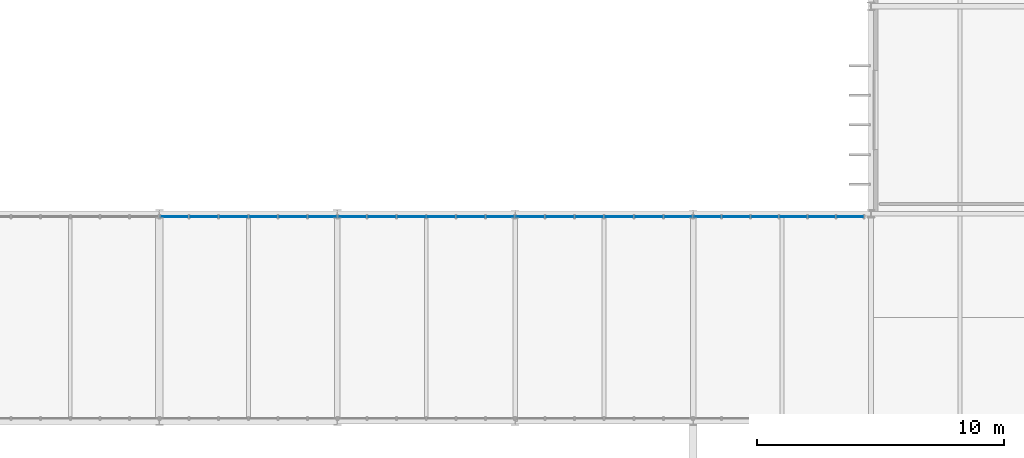
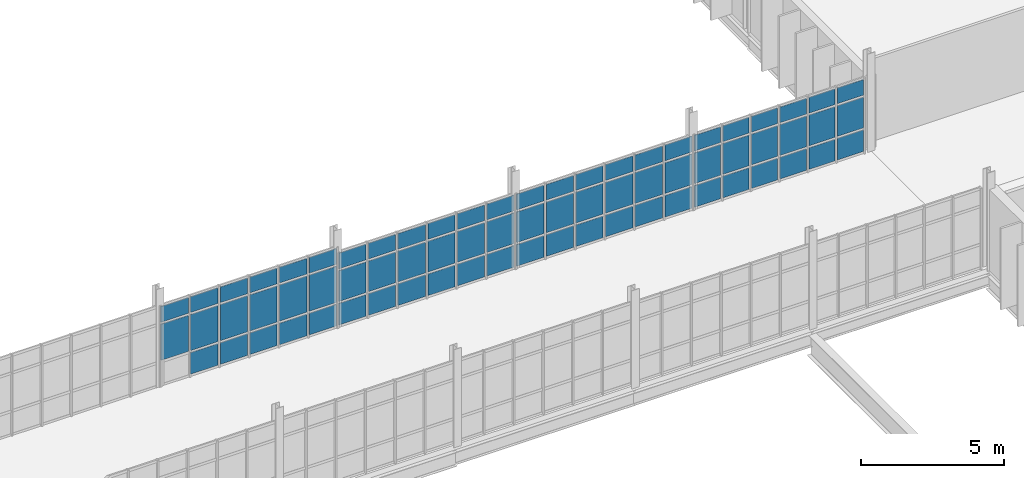
# One storey, part 76 of 119: 71 plates, 4 elements without a shape of their own.
"""IFC4 building model written with IfcOpenShell, lengths in metres."""

from ifc_helpers import new_model, si_unit, direction, frame, origin, origin_2d, place, context, subcontext, project, spatial, rectangle, extrude, material, layer, layer_set, type_object, element, aggregate, save


model = new_model("IFC4")

# Units and contexts
model_context = context("Model", 3, precision=1e-05, world=origin(), true_north=direction((0.0, 1.0)))
body_context = subcontext(model_context, "Body", "Model", "MODEL_VIEW")
ifc_project = project(units=[si_unit("LENGTHUNIT", "METRE"), si_unit("AREAUNIT", "SQUARE_METRE"), si_unit("VOLUMEUNIT", "CUBIC_METRE"), si_unit("PLANEANGLEUNIT", "RADIAN"), si_unit("MASSUNIT", "GRAM", prefix="KILO")], contexts=[model_context])

# Site, building, storey
site_placement = place(None, origin())
site = spatial("IfcSite", under=ifc_project, at=site_placement, CompositionType="ELEMENT")
building_placement = place(site_placement, origin())
building = spatial("IfcBuilding", under=site, at=building_placement, Name="Qelthora Terrace Specialist Clinic", CompositionType="ELEMENT")
storey_placement = place(building_placement, frame((0.0, 0.0, 4.800048828125)))
storey = spatial("IfcBuildingStorey", under=building, at=storey_placement, Name="L01", CompositionType="ELEMENT", Elevation=4.800048828125)

# Curtain wall, plates
ifc_material_1 = material(Name="Aluminium anodized bronze", Category="aluminium")
curtain_wall_type = type_object("IfcCurtainWallType", Name="CW-BRG-L01", PredefinedType="NOTDEFINED", material=ifc_material_1)
curtain_wall_1_placement = place(storey_placement, origin())
curtain_wall_1 = element("IfcCurtainWall", 1, at=curtain_wall_1_placement, inside=storey, type_object=curtain_wall_type, Name="Curtain wall CW-L01-236", PredefinedType="NOTDEFINED")
ifc_material_2 = material(Name="Low-E triple-silver insulating glass", Category="glass")
ifc_layer = layer(ifc_material_2, 0.035888671875)
ifc_layer_set = layer_set([ifc_layer], Name="Low-E triple-silver insulating glass")
plate_type = type_object("IfcPlateType", Name="CWP-IGU-36", PredefinedType="CURTAIN_PANEL", material=ifc_layer_set)
plate_1_placement = place(storey_placement, frame((65.39990234375, 67.080078125, 1.094970703125), z_axis=(0.0, 0.0, 1.0), x_axis=(1.0, 0.0, 0.0)))
plate_1 = element("IfcPlate", 2, at=plate_1_placement, type_object=plate_type, Name="CW-L01-236 glazed panel 2", PredefinedType="CURTAIN_PANEL", context=body_context, shape_type="SweptSolid", body=[
    extrude(rectangle(XDim=1.10009765625, YDim=0.035888671875, at=origin_2d()), origin(), (0.0, 0.0, 1.0), 1.5419921875),
])
plate_2_placement = place(storey_placement, frame((65.39990234375, 67.080078125, 2.72705078125), z_axis=(0.0, 0.0, 1.0), x_axis=(1.0, 0.0, 0.0)))
plate_2 = element("IfcPlate", 3, at=plate_2_placement, type_object=plate_type, Name="CW-L01-236 glazed panel 3", PredefinedType="CURTAIN_PANEL", context=body_context, shape_type="SweptSolid", body=[
    extrude(rectangle(XDim=1.10009765625, YDim=0.035888671875, at=origin_2d()), origin(), (0.0, 0.0, 1.0), 0.669921875),
])
plate_3_placement = place(storey_placement, frame((66.60009765625, 67.080078125, 0.0849609375), z_axis=(0.0, 0.0, 1.0), x_axis=(1.0, 0.0, 0.0)))
plate_3 = element("IfcPlate", 4, at=plate_3_placement, type_object=plate_type, Name="CW-L01-236 glazed panel 4", PredefinedType="CURTAIN_PANEL", context=body_context, shape_type="SweptSolid", body=[
    extrude(rectangle(XDim=1.10009765625, YDim=0.035888671875, at=origin_2d()), origin(), (0.0, 0.0, 1.0), 0.919921875),
])
plate_4_placement = place(storey_placement, frame((66.60009765625, 67.080078125, 1.094970703125), z_axis=(0.0, 0.0, 1.0), x_axis=(1.0, 0.0, 0.0)))
plate_4 = element("IfcPlate", 5, at=plate_4_placement, type_object=plate_type, Name="CW-L01-236 glazed panel 5", PredefinedType="CURTAIN_PANEL", context=body_context, shape_type="SweptSolid", body=[
    extrude(rectangle(XDim=1.10009765625, YDim=0.035888671875, at=origin_2d()), origin(), (0.0, 0.0, 1.0), 1.5419921875),
])
plate_5_placement = place(storey_placement, frame((66.60009765625, 67.080078125, 2.72705078125), z_axis=(0.0, 0.0, 1.0), x_axis=(1.0, 0.0, 0.0)))
plate_5 = element("IfcPlate", 6, at=plate_5_placement, type_object=plate_type, Name="CW-L01-236 glazed panel 6", PredefinedType="CURTAIN_PANEL", context=body_context, shape_type="SweptSolid", body=[
    extrude(rectangle(XDim=1.10009765625, YDim=0.035888671875, at=origin_2d()), origin(), (0.0, 0.0, 1.0), 0.669921875),
])
plate_6_placement = place(storey_placement, frame((67.800048828125, 67.080078125, 0.0849609375), z_axis=(0.0, 0.0, 1.0), x_axis=(1.0, 0.0, 0.0)))
plate_6 = element("IfcPlate", 7, at=plate_6_placement, type_object=plate_type, Name="CW-L01-236 glazed panel 7", PredefinedType="CURTAIN_PANEL", context=body_context, shape_type="SweptSolid", body=[
    extrude(rectangle(XDim=1.10009765625, YDim=0.035888671875, at=origin_2d()), origin(), (0.0, 0.0, 1.0), 0.919921875),
])
plate_7_placement = place(storey_placement, frame((67.800048828125, 67.080078125, 1.094970703125), z_axis=(0.0, 0.0, 1.0), x_axis=(1.0, 0.0, 0.0)))
plate_7 = element("IfcPlate", 8, at=plate_7_placement, type_object=plate_type, Name="CW-L01-236 glazed panel 8", PredefinedType="CURTAIN_PANEL", context=body_context, shape_type="SweptSolid", body=[
    extrude(rectangle(XDim=1.10009765625, YDim=0.035888671875, at=origin_2d()), origin(), (0.0, 0.0, 1.0), 1.5419921875),
])
plate_8_placement = place(storey_placement, frame((67.800048828125, 67.080078125, 2.72705078125), z_axis=(0.0, 0.0, 1.0), x_axis=(1.0, 0.0, 0.0)))
plate_8 = element("IfcPlate", 9, at=plate_8_placement, type_object=plate_type, Name="CW-L01-236 glazed panel 9", PredefinedType="CURTAIN_PANEL", context=body_context, shape_type="SweptSolid", body=[
    extrude(rectangle(XDim=1.10009765625, YDim=0.035888671875, at=origin_2d()), origin(), (0.0, 0.0, 1.0), 0.669921875),
])
plate_9_placement = place(storey_placement, frame((69.0, 67.080078125, 0.0849609375), z_axis=(0.0, 0.0, 1.0), x_axis=(1.0, 0.0, 0.0)))
plate_9 = element("IfcPlate", 10, at=plate_9_placement, type_object=plate_type, Name="CW-L01-236 glazed panel 10", PredefinedType="CURTAIN_PANEL", context=body_context, shape_type="SweptSolid", body=[
    extrude(rectangle(XDim=1.10009765625, YDim=0.035888671875, at=origin_2d()), origin(), (0.0, 0.0, 1.0), 0.919921875),
])
plate_10_placement = place(storey_placement, frame((69.0, 67.080078125, 1.094970703125), z_axis=(0.0, 0.0, 1.0), x_axis=(1.0, 0.0, 0.0)))
plate_10 = element("IfcPlate", 11, at=plate_10_placement, type_object=plate_type, Name="CW-L01-236 glazed panel 11", PredefinedType="CURTAIN_PANEL", context=body_context, shape_type="SweptSolid", body=[
    extrude(rectangle(XDim=1.10009765625, YDim=0.035888671875, at=origin_2d()), origin(), (0.0, 0.0, 1.0), 1.5419921875),
])
plate_11_placement = place(storey_placement, frame((69.0, 67.080078125, 2.72705078125), z_axis=(0.0, 0.0, 1.0), x_axis=(1.0, 0.0, 0.0)))
plate_11 = element("IfcPlate", 12, at=plate_11_placement, type_object=plate_type, Name="CW-L01-236 glazed panel 12", PredefinedType="CURTAIN_PANEL", context=body_context, shape_type="SweptSolid", body=[
    extrude(rectangle(XDim=1.10009765625, YDim=0.035888671875, at=origin_2d()), origin(), (0.0, 0.0, 1.0), 0.669921875),
])
plate_12_placement = place(storey_placement, frame((70.199951171875, 67.080078125, 0.0849609375), z_axis=(0.0, 0.0, 1.0), x_axis=(1.0, 0.0, 0.0)))
plate_12 = element("IfcPlate", 13, at=plate_12_placement, type_object=plate_type, Name="CW-L01-236 glazed panel 13", PredefinedType="CURTAIN_PANEL", context=body_context, shape_type="SweptSolid", body=[
    extrude(rectangle(XDim=1.10009765625, YDim=0.035888671875, at=origin_2d()), origin(), (0.0, 0.0, 1.0), 0.919921875),
])
plate_13_placement = place(storey_placement, frame((70.199951171875, 67.080078125, 1.094970703125), z_axis=(0.0, 0.0, 1.0), x_axis=(1.0, 0.0, 0.0)))
plate_13 = element("IfcPlate", 14, at=plate_13_placement, type_object=plate_type, Name="CW-L01-236 glazed panel 14", PredefinedType="CURTAIN_PANEL", context=body_context, shape_type="SweptSolid", body=[
    extrude(rectangle(XDim=1.10009765625, YDim=0.035888671875, at=origin_2d()), origin(), (0.0, 0.0, 1.0), 1.5419921875),
])
plate_14_placement = place(storey_placement, frame((70.199951171875, 67.080078125, 2.72705078125), z_axis=(0.0, 0.0, 1.0), x_axis=(1.0, 0.0, 0.0)))
plate_14 = element("IfcPlate", 15, at=plate_14_placement, type_object=plate_type, Name="CW-L01-236 glazed panel 15", PredefinedType="CURTAIN_PANEL", context=body_context, shape_type="SweptSolid", body=[
    extrude(rectangle(XDim=1.10009765625, YDim=0.035888671875, at=origin_2d()), origin(), (0.0, 0.0, 1.0), 0.669921875),
])
plate_15_placement = place(storey_placement, frame((71.39990234375, 67.080078125, 0.0849609375), z_axis=(0.0, 0.0, 1.0), x_axis=(1.0, 0.0, 0.0)))
plate_15 = element("IfcPlate", 16, at=plate_15_placement, type_object=plate_type, Name="CW-L01-236 glazed panel 16", PredefinedType="CURTAIN_PANEL", context=body_context, shape_type="SweptSolid", body=[
    extrude(rectangle(XDim=1.10009765625, YDim=0.035888671875, at=origin_2d()), origin(), (0.0, 0.0, 1.0), 0.919921875),
])
plate_16_placement = place(storey_placement, frame((71.39990234375, 67.080078125, 1.094970703125), z_axis=(0.0, 0.0, 1.0), x_axis=(1.0, 0.0, 0.0)))
plate_16 = element("IfcPlate", 17, at=plate_16_placement, type_object=plate_type, Name="CW-L01-236 glazed panel 17", PredefinedType="CURTAIN_PANEL", context=body_context, shape_type="SweptSolid", body=[
    extrude(rectangle(XDim=1.10009765625, YDim=0.035888671875, at=origin_2d()), origin(), (0.0, 0.0, 1.0), 1.5419921875),
])
plate_17_placement = place(storey_placement, frame((71.39990234375, 67.080078125, 2.72705078125), z_axis=(0.0, 0.0, 1.0), x_axis=(1.0, 0.0, 0.0)))
plate_17 = element("IfcPlate", 18, at=plate_17_placement, type_object=plate_type, Name="CW-L01-236 glazed panel 18", PredefinedType="CURTAIN_PANEL", context=body_context, shape_type="SweptSolid", body=[
    extrude(rectangle(XDim=1.10009765625, YDim=0.035888671875, at=origin_2d()), origin(), (0.0, 0.0, 1.0), 0.669921875),
])
aggregate(curtain_wall_1, [plate_1, plate_2, plate_3, plate_4, plate_5, plate_6, plate_7, plate_8, plate_9, plate_10, plate_11, plate_12, plate_13, plate_14, plate_15, plate_16, plate_17])

curtain_wall_2_placement = place(storey_placement, origin())
curtain_wall_2 = element("IfcCurtainWall", 19, at=curtain_wall_2_placement, inside=storey, type_object=curtain_wall_type, Name="Curtain wall CW-L01-237", PredefinedType="NOTDEFINED")
plate_18_placement = place(storey_placement, frame((72.60009765625, 67.080078125, 0.0849609375), z_axis=(0.0, 0.0, 1.0), x_axis=(1.0, 0.0, 0.0)))
plate_18 = element("IfcPlate", 20, at=plate_18_placement, type_object=plate_type, Name="CW-L01-237 glazed panel 1", PredefinedType="CURTAIN_PANEL", context=body_context, shape_type="SweptSolid", body=[
    extrude(rectangle(XDim=1.10009765625, YDim=0.035888671875, at=origin_2d()), origin(), (0.0, 0.0, 1.0), 0.919921875),
])
plate_19_placement = place(storey_placement, frame((72.60009765625, 67.080078125, 1.094970703125), z_axis=(0.0, 0.0, 1.0), x_axis=(1.0, 0.0, 0.0)))
plate_19 = element("IfcPlate", 21, at=plate_19_placement, type_object=plate_type, Name="CW-L01-237 glazed panel 2", PredefinedType="CURTAIN_PANEL", context=body_context, shape_type="SweptSolid", body=[
    extrude(rectangle(XDim=1.10009765625, YDim=0.035888671875, at=origin_2d()), origin(), (0.0, 0.0, 1.0), 1.30908203125),
])
plate_20_placement = place(storey_placement, frame((72.60009765625, 67.080078125, 2.493896484375), z_axis=(0.0, 0.0, 1.0), x_axis=(1.0, 0.0, 0.0)))
plate_20 = element("IfcPlate", 22, at=plate_20_placement, type_object=plate_type, Name="CW-L01-237 glazed panel 3", PredefinedType="CURTAIN_PANEL", context=body_context, shape_type="SweptSolid", body=[
    extrude(rectangle(XDim=1.10009765625, YDim=0.035888671875, at=origin_2d()), origin(), (0.0, 0.0, 1.0), 0.669921875),
])
plate_21_placement = place(storey_placement, frame((73.800048828125, 67.080078125, 0.0849609375), z_axis=(0.0, 0.0, 1.0), x_axis=(1.0, 0.0, 0.0)))
plate_21 = element("IfcPlate", 23, at=plate_21_placement, type_object=plate_type, Name="CW-L01-237 glazed panel 4", PredefinedType="CURTAIN_PANEL", context=body_context, shape_type="SweptSolid", body=[
    extrude(rectangle(XDim=1.10009765625, YDim=0.035888671875, at=origin_2d()), origin(), (0.0, 0.0, 1.0), 0.919921875),
])
plate_22_placement = place(storey_placement, frame((73.800048828125, 67.080078125, 1.094970703125), z_axis=(0.0, 0.0, 1.0), x_axis=(1.0, 0.0, 0.0)))
plate_22 = element("IfcPlate", 24, at=plate_22_placement, type_object=plate_type, Name="CW-L01-237 glazed panel 5", PredefinedType="CURTAIN_PANEL", context=body_context, shape_type="SweptSolid", body=[
    extrude(rectangle(XDim=1.10009765625, YDim=0.035888671875, at=origin_2d()), origin(), (0.0, 0.0, 1.0), 1.30908203125),
])
plate_23_placement = place(storey_placement, frame((73.800048828125, 67.080078125, 2.493896484375), z_axis=(0.0, 0.0, 1.0), x_axis=(1.0, 0.0, 0.0)))
plate_23 = element("IfcPlate", 25, at=plate_23_placement, type_object=plate_type, Name="CW-L01-237 glazed panel 6", PredefinedType="CURTAIN_PANEL", context=body_context, shape_type="SweptSolid", body=[
    extrude(rectangle(XDim=1.10009765625, YDim=0.035888671875, at=origin_2d()), origin(), (0.0, 0.0, 1.0), 0.669921875),
])
plate_24_placement = place(storey_placement, frame((75.0, 67.080078125, 0.0849609375), z_axis=(0.0, 0.0, 1.0), x_axis=(1.0, 0.0, 0.0)))
plate_24 = element("IfcPlate", 26, at=plate_24_placement, type_object=plate_type, Name="CW-L01-237 glazed panel 7", PredefinedType="CURTAIN_PANEL", context=body_context, shape_type="SweptSolid", body=[
    extrude(rectangle(XDim=1.10009765625, YDim=0.035888671875, at=origin_2d()), origin(), (0.0, 0.0, 1.0), 0.919921875),
])
plate_25_placement = place(storey_placement, frame((75.0, 67.080078125, 1.094970703125), z_axis=(0.0, 0.0, 1.0), x_axis=(1.0, 0.0, 0.0)))
plate_25 = element("IfcPlate", 27, at=plate_25_placement, type_object=plate_type, Name="CW-L01-237 glazed panel 8", PredefinedType="CURTAIN_PANEL", context=body_context, shape_type="SweptSolid", body=[
    extrude(rectangle(XDim=1.10009765625, YDim=0.035888671875, at=origin_2d()), origin(), (0.0, 0.0, 1.0), 1.30908203125),
])
plate_26_placement = place(storey_placement, frame((75.0, 67.080078125, 2.493896484375), z_axis=(0.0, 0.0, 1.0), x_axis=(1.0, 0.0, 0.0)))
plate_26 = element("IfcPlate", 28, at=plate_26_placement, type_object=plate_type, Name="CW-L01-237 glazed panel 9", PredefinedType="CURTAIN_PANEL", context=body_context, shape_type="SweptSolid", body=[
    extrude(rectangle(XDim=1.10009765625, YDim=0.035888671875, at=origin_2d()), origin(), (0.0, 0.0, 1.0), 0.669921875),
])
plate_27_placement = place(storey_placement, frame((76.199951171875, 67.080078125, 0.0849609375), z_axis=(0.0, 0.0, 1.0), x_axis=(1.0, 0.0, 0.0)))
plate_27 = element("IfcPlate", 29, at=plate_27_placement, type_object=plate_type, Name="CW-L01-237 glazed panel 10", PredefinedType="CURTAIN_PANEL", context=body_context, shape_type="SweptSolid", body=[
    extrude(rectangle(XDim=1.10009765625, YDim=0.035888671875, at=origin_2d()), origin(), (0.0, 0.0, 1.0), 0.919921875),
])
plate_28_placement = place(storey_placement, frame((76.199951171875, 67.080078125, 1.094970703125), z_axis=(0.0, 0.0, 1.0), x_axis=(1.0, 0.0, 0.0)))
plate_28 = element("IfcPlate", 30, at=plate_28_placement, type_object=plate_type, Name="CW-L01-237 glazed panel 11", PredefinedType="CURTAIN_PANEL", context=body_context, shape_type="SweptSolid", body=[
    extrude(rectangle(XDim=1.10009765625, YDim=0.035888671875, at=origin_2d()), origin(), (0.0, 0.0, 1.0), 1.30908203125),
])
plate_29_placement = place(storey_placement, frame((76.199951171875, 67.080078125, 2.493896484375), z_axis=(0.0, 0.0, 1.0), x_axis=(1.0, 0.0, 0.0)))
plate_29 = element("IfcPlate", 31, at=plate_29_placement, type_object=plate_type, Name="CW-L01-237 glazed panel 12", PredefinedType="CURTAIN_PANEL", context=body_context, shape_type="SweptSolid", body=[
    extrude(rectangle(XDim=1.10009765625, YDim=0.035888671875, at=origin_2d()), origin(), (0.0, 0.0, 1.0), 0.669921875),
])
plate_30_placement = place(storey_placement, frame((77.39990234375, 67.080078125, 0.0849609375), z_axis=(0.0, 0.0, 1.0), x_axis=(1.0, 0.0, 0.0)))
plate_30 = element("IfcPlate", 32, at=plate_30_placement, type_object=plate_type, Name="CW-L01-237 glazed panel 13", PredefinedType="CURTAIN_PANEL", context=body_context, shape_type="SweptSolid", body=[
    extrude(rectangle(XDim=1.10009765625, YDim=0.035888671875, at=origin_2d()), origin(), (0.0, 0.0, 1.0), 0.919921875),
])
plate_31_placement = place(storey_placement, frame((77.39990234375, 67.080078125, 1.094970703125), z_axis=(0.0, 0.0, 1.0), x_axis=(1.0, 0.0, 0.0)))
plate_31 = element("IfcPlate", 33, at=plate_31_placement, type_object=plate_type, Name="CW-L01-237 glazed panel 14", PredefinedType="CURTAIN_PANEL", context=body_context, shape_type="SweptSolid", body=[
    extrude(rectangle(XDim=1.10009765625, YDim=0.035888671875, at=origin_2d()), origin(), (0.0, 0.0, 1.0), 1.30908203125),
])
plate_32_placement = place(storey_placement, frame((77.39990234375, 67.080078125, 2.493896484375), z_axis=(0.0, 0.0, 1.0), x_axis=(1.0, 0.0, 0.0)))
plate_32 = element("IfcPlate", 34, at=plate_32_placement, type_object=plate_type, Name="CW-L01-237 glazed panel 15", PredefinedType="CURTAIN_PANEL", context=body_context, shape_type="SweptSolid", body=[
    extrude(rectangle(XDim=1.10009765625, YDim=0.035888671875, at=origin_2d()), origin(), (0.0, 0.0, 1.0), 0.669921875),
])
plate_33_placement = place(storey_placement, frame((78.60009765625, 67.080078125, 0.0849609375), z_axis=(0.0, 0.0, 1.0), x_axis=(1.0, 0.0, 0.0)))
plate_33 = element("IfcPlate", 35, at=plate_33_placement, type_object=plate_type, Name="CW-L01-237 glazed panel 16", PredefinedType="CURTAIN_PANEL", context=body_context, shape_type="SweptSolid", body=[
    extrude(rectangle(XDim=1.10009765625, YDim=0.035888671875, at=origin_2d()), origin(), (0.0, 0.0, 1.0), 0.919921875),
])
plate_34_placement = place(storey_placement, frame((78.60009765625, 67.080078125, 1.094970703125), z_axis=(0.0, 0.0, 1.0), x_axis=(1.0, 0.0, 0.0)))
plate_34 = element("IfcPlate", 36, at=plate_34_placement, type_object=plate_type, Name="CW-L01-237 glazed panel 17", PredefinedType="CURTAIN_PANEL", context=body_context, shape_type="SweptSolid", body=[
    extrude(rectangle(XDim=1.10009765625, YDim=0.035888671875, at=origin_2d()), origin(), (0.0, 0.0, 1.0), 1.30908203125),
])
plate_35_placement = place(storey_placement, frame((78.60009765625, 67.080078125, 2.493896484375), z_axis=(0.0, 0.0, 1.0), x_axis=(1.0, 0.0, 0.0)))
plate_35 = element("IfcPlate", 37, at=plate_35_placement, type_object=plate_type, Name="CW-L01-237 glazed panel 18", PredefinedType="CURTAIN_PANEL", context=body_context, shape_type="SweptSolid", body=[
    extrude(rectangle(XDim=1.10009765625, YDim=0.035888671875, at=origin_2d()), origin(), (0.0, 0.0, 1.0), 0.669921875),
])
aggregate(curtain_wall_2, [plate_18, plate_19, plate_20, plate_21, plate_22, plate_23, plate_24, plate_25, plate_26, plate_27, plate_28, plate_29, plate_30, plate_31, plate_32, plate_33, plate_34, plate_35])

curtain_wall_3_placement = place(storey_placement, origin())
curtain_wall_3 = element("IfcCurtainWall", 38, at=curtain_wall_3_placement, inside=storey, type_object=curtain_wall_type, Name="Curtain wall CW-L01-238", PredefinedType="NOTDEFINED")
plate_36_placement = place(storey_placement, frame((79.800048828125, 67.080078125, 0.0849609375), z_axis=(0.0, 0.0, 1.0), x_axis=(1.0, 0.0, 0.0)))
plate_36 = element("IfcPlate", 39, at=plate_36_placement, type_object=plate_type, Name="CW-L01-238 glazed panel 1", PredefinedType="CURTAIN_PANEL", context=body_context, shape_type="SweptSolid", body=[
    extrude(rectangle(XDim=1.10009765625, YDim=0.035888671875, at=origin_2d()), origin(), (0.0, 0.0, 1.0), 0.919921875),
])
plate_37_placement = place(storey_placement, frame((79.800048828125, 67.080078125, 1.094970703125), z_axis=(0.0, 0.0, 1.0), x_axis=(1.0, 0.0, 0.0)))
plate_37 = element("IfcPlate", 40, at=plate_37_placement, type_object=plate_type, Name="CW-L01-238 glazed panel 2", PredefinedType="CURTAIN_PANEL", context=body_context, shape_type="SweptSolid", body=[
    extrude(rectangle(XDim=1.10009765625, YDim=0.035888671875, at=origin_2d()), origin(), (0.0, 0.0, 1.0), 1.30908203125),
])
plate_38_placement = place(storey_placement, frame((79.800048828125, 67.080078125, 2.493896484375), z_axis=(0.0, 0.0, 1.0), x_axis=(1.0, 0.0, 0.0)))
plate_38 = element("IfcPlate", 41, at=plate_38_placement, type_object=plate_type, Name="CW-L01-238 glazed panel 3", PredefinedType="CURTAIN_PANEL", context=body_context, shape_type="SweptSolid", body=[
    extrude(rectangle(XDim=1.10009765625, YDim=0.035888671875, at=origin_2d()), origin(), (0.0, 0.0, 1.0), 0.669921875),
])
plate_39_placement = place(storey_placement, frame((81.0, 67.080078125, 0.0849609375), z_axis=(0.0, 0.0, 1.0), x_axis=(1.0, 0.0, 0.0)))
plate_39 = element("IfcPlate", 42, at=plate_39_placement, type_object=plate_type, Name="CW-L01-238 glazed panel 4", PredefinedType="CURTAIN_PANEL", context=body_context, shape_type="SweptSolid", body=[
    extrude(rectangle(XDim=1.10009765625, YDim=0.035888671875, at=origin_2d()), origin(), (0.0, 0.0, 1.0), 0.919921875),
])
plate_40_placement = place(storey_placement, frame((81.0, 67.080078125, 1.094970703125), z_axis=(0.0, 0.0, 1.0), x_axis=(1.0, 0.0, 0.0)))
plate_40 = element("IfcPlate", 43, at=plate_40_placement, type_object=plate_type, Name="CW-L01-238 glazed panel 5", PredefinedType="CURTAIN_PANEL", context=body_context, shape_type="SweptSolid", body=[
    extrude(rectangle(XDim=1.10009765625, YDim=0.035888671875, at=origin_2d()), origin(), (0.0, 0.0, 1.0), 1.30908203125),
])
plate_41_placement = place(storey_placement, frame((81.0, 67.080078125, 2.493896484375), z_axis=(0.0, 0.0, 1.0), x_axis=(1.0, 0.0, 0.0)))
plate_41 = element("IfcPlate", 44, at=plate_41_placement, type_object=plate_type, Name="CW-L01-238 glazed panel 6", PredefinedType="CURTAIN_PANEL", context=body_context, shape_type="SweptSolid", body=[
    extrude(rectangle(XDim=1.10009765625, YDim=0.035888671875, at=origin_2d()), origin(), (0.0, 0.0, 1.0), 0.669921875),
])
plate_42_placement = place(storey_placement, frame((82.199951171875, 67.080078125, 0.0849609375), z_axis=(0.0, 0.0, 1.0), x_axis=(1.0, 0.0, 0.0)))
plate_42 = element("IfcPlate", 45, at=plate_42_placement, type_object=plate_type, Name="CW-L01-238 glazed panel 7", PredefinedType="CURTAIN_PANEL", context=body_context, shape_type="SweptSolid", body=[
    extrude(rectangle(XDim=1.10009765625, YDim=0.035888671875, at=origin_2d()), origin(), (0.0, 0.0, 1.0), 0.919921875),
])
plate_43_placement = place(storey_placement, frame((82.199951171875, 67.080078125, 1.094970703125), z_axis=(0.0, 0.0, 1.0), x_axis=(1.0, 0.0, 0.0)))
plate_43 = element("IfcPlate", 46, at=plate_43_placement, type_object=plate_type, Name="CW-L01-238 glazed panel 8", PredefinedType="CURTAIN_PANEL", context=body_context, shape_type="SweptSolid", body=[
    extrude(rectangle(XDim=1.10009765625, YDim=0.035888671875, at=origin_2d()), origin(), (0.0, 0.0, 1.0), 1.30908203125),
])
plate_44_placement = place(storey_placement, frame((82.199951171875, 67.080078125, 2.493896484375), z_axis=(0.0, 0.0, 1.0), x_axis=(1.0, 0.0, 0.0)))
plate_44 = element("IfcPlate", 47, at=plate_44_placement, type_object=plate_type, Name="CW-L01-238 glazed panel 9", PredefinedType="CURTAIN_PANEL", context=body_context, shape_type="SweptSolid", body=[
    extrude(rectangle(XDim=1.10009765625, YDim=0.035888671875, at=origin_2d()), origin(), (0.0, 0.0, 1.0), 0.669921875),
])
plate_45_placement = place(storey_placement, frame((83.39990234375, 67.080078125, 0.0849609375), z_axis=(0.0, 0.0, 1.0), x_axis=(1.0, 0.0, 0.0)))
plate_45 = element("IfcPlate", 48, at=plate_45_placement, type_object=plate_type, Name="CW-L01-238 glazed panel 10", PredefinedType="CURTAIN_PANEL", context=body_context, shape_type="SweptSolid", body=[
    extrude(rectangle(XDim=1.10009765625, YDim=0.035888671875, at=origin_2d()), origin(), (0.0, 0.0, 1.0), 0.919921875),
])
plate_46_placement = place(storey_placement, frame((83.39990234375, 67.080078125, 1.094970703125), z_axis=(0.0, 0.0, 1.0), x_axis=(1.0, 0.0, 0.0)))
plate_46 = element("IfcPlate", 49, at=plate_46_placement, type_object=plate_type, Name="CW-L01-238 glazed panel 11", PredefinedType="CURTAIN_PANEL", context=body_context, shape_type="SweptSolid", body=[
    extrude(rectangle(XDim=1.10009765625, YDim=0.035888671875, at=origin_2d()), origin(), (0.0, 0.0, 1.0), 1.30908203125),
])
plate_47_placement = place(storey_placement, frame((83.39990234375, 67.080078125, 2.493896484375), z_axis=(0.0, 0.0, 1.0), x_axis=(1.0, 0.0, 0.0)))
plate_47 = element("IfcPlate", 50, at=plate_47_placement, type_object=plate_type, Name="CW-L01-238 glazed panel 12", PredefinedType="CURTAIN_PANEL", context=body_context, shape_type="SweptSolid", body=[
    extrude(rectangle(XDim=1.10009765625, YDim=0.035888671875, at=origin_2d()), origin(), (0.0, 0.0, 1.0), 0.669921875),
])
plate_48_placement = place(storey_placement, frame((84.60009765625, 67.080078125, 0.0849609375), z_axis=(0.0, 0.0, 1.0), x_axis=(1.0, 0.0, 0.0)))
plate_48 = element("IfcPlate", 51, at=plate_48_placement, type_object=plate_type, Name="CW-L01-238 glazed panel 13", PredefinedType="CURTAIN_PANEL", context=body_context, shape_type="SweptSolid", body=[
    extrude(rectangle(XDim=1.10009765625, YDim=0.035888671875, at=origin_2d()), origin(), (0.0, 0.0, 1.0), 0.919921875),
])
plate_49_placement = place(storey_placement, frame((84.60009765625, 67.080078125, 1.094970703125), z_axis=(0.0, 0.0, 1.0), x_axis=(1.0, 0.0, 0.0)))
plate_49 = element("IfcPlate", 52, at=plate_49_placement, type_object=plate_type, Name="CW-L01-238 glazed panel 14", PredefinedType="CURTAIN_PANEL", context=body_context, shape_type="SweptSolid", body=[
    extrude(rectangle(XDim=1.10009765625, YDim=0.035888671875, at=origin_2d()), origin(), (0.0, 0.0, 1.0), 1.30908203125),
])
plate_50_placement = place(storey_placement, frame((84.60009765625, 67.080078125, 2.493896484375), z_axis=(0.0, 0.0, 1.0), x_axis=(1.0, 0.0, 0.0)))
plate_50 = element("IfcPlate", 53, at=plate_50_placement, type_object=plate_type, Name="CW-L01-238 glazed panel 15", PredefinedType="CURTAIN_PANEL", context=body_context, shape_type="SweptSolid", body=[
    extrude(rectangle(XDim=1.10009765625, YDim=0.035888671875, at=origin_2d()), origin(), (0.0, 0.0, 1.0), 0.669921875),
])
plate_51_placement = place(storey_placement, frame((85.800048828125, 67.080078125, 0.0849609375), z_axis=(0.0, 0.0, 1.0), x_axis=(1.0, 0.0, 0.0)))
plate_51 = element("IfcPlate", 54, at=plate_51_placement, type_object=plate_type, Name="CW-L01-238 glazed panel 16", PredefinedType="CURTAIN_PANEL", context=body_context, shape_type="SweptSolid", body=[
    extrude(rectangle(XDim=1.10009765625, YDim=0.035888671875, at=origin_2d()), origin(), (0.0, 0.0, 1.0), 0.919921875),
])
plate_52_placement = place(storey_placement, frame((85.800048828125, 67.080078125, 1.094970703125), z_axis=(0.0, 0.0, 1.0), x_axis=(1.0, 0.0, 0.0)))
plate_52 = element("IfcPlate", 55, at=plate_52_placement, type_object=plate_type, Name="CW-L01-238 glazed panel 17", PredefinedType="CURTAIN_PANEL", context=body_context, shape_type="SweptSolid", body=[
    extrude(rectangle(XDim=1.10009765625, YDim=0.035888671875, at=origin_2d()), origin(), (0.0, 0.0, 1.0), 1.30908203125),
])
plate_53_placement = place(storey_placement, frame((85.800048828125, 67.080078125, 2.493896484375), z_axis=(0.0, 0.0, 1.0), x_axis=(1.0, 0.0, 0.0)))
plate_53 = element("IfcPlate", 56, at=plate_53_placement, type_object=plate_type, Name="CW-L01-238 glazed panel 18", PredefinedType="CURTAIN_PANEL", context=body_context, shape_type="SweptSolid", body=[
    extrude(rectangle(XDim=1.10009765625, YDim=0.035888671875, at=origin_2d()), origin(), (0.0, 0.0, 1.0), 0.669921875),
])
aggregate(curtain_wall_3, [plate_36, plate_37, plate_38, plate_39, plate_40, plate_41, plate_42, plate_43, plate_44, plate_45, plate_46, plate_47, plate_48, plate_49, plate_50, plate_51, plate_52, plate_53])

curtain_wall_4_placement = place(storey_placement, origin())
curtain_wall_4 = element("IfcCurtainWall", 57, at=curtain_wall_4_placement, inside=storey, type_object=curtain_wall_type, Name="Curtain wall CW-L01-239", PredefinedType="NOTDEFINED")
plate_54_placement = place(storey_placement, frame((86.978271484375, 67.080078125, 0.0849609375), z_axis=(0.0, 0.0, 1.0), x_axis=(1.0, 0.0, 0.0)))
plate_54 = element("IfcPlate", 58, at=plate_54_placement, type_object=plate_type, Name="CW-L01-239 glazed panel 1", PredefinedType="CURTAIN_PANEL", context=body_context, shape_type="SweptSolid", body=[
    extrude(rectangle(XDim=1.056640625, YDim=0.035888671875, at=origin_2d()), origin(), (0.0, 0.0, 1.0), 0.919921875),
])
plate_55_placement = place(storey_placement, frame((86.978271484375, 67.080078125, 1.094970703125), z_axis=(0.0, 0.0, 1.0), x_axis=(1.0, 0.0, 0.0)))
plate_55 = element("IfcPlate", 59, at=plate_55_placement, type_object=plate_type, Name="CW-L01-239 glazed panel 2", PredefinedType="CURTAIN_PANEL", context=body_context, shape_type="SweptSolid", body=[
    extrude(rectangle(XDim=1.056640625, YDim=0.035888671875, at=origin_2d()), origin(), (0.0, 0.0, 1.0), 1.30908203125),
])
plate_56_placement = place(storey_placement, frame((86.978271484375, 67.080078125, 2.493896484375), z_axis=(0.0, 0.0, 1.0), x_axis=(1.0, 0.0, 0.0)))
plate_56 = element("IfcPlate", 60, at=plate_56_placement, type_object=plate_type, Name="CW-L01-239 glazed panel 3", PredefinedType="CURTAIN_PANEL", context=body_context, shape_type="SweptSolid", body=[
    extrude(rectangle(XDim=1.056640625, YDim=0.035888671875, at=origin_2d()), origin(), (0.0, 0.0, 1.0), 0.669921875),
])
plate_57_placement = place(storey_placement, frame((88.135009765625, 67.080078125, 0.0849609375), z_axis=(0.0, 0.0, 1.0), x_axis=(1.0, 0.0, 0.0)))
plate_57 = element("IfcPlate", 61, at=plate_57_placement, type_object=plate_type, Name="CW-L01-239 glazed panel 4", PredefinedType="CURTAIN_PANEL", context=body_context, shape_type="SweptSolid", body=[
    extrude(rectangle(XDim=1.056640625, YDim=0.035888671875, at=origin_2d()), origin(), (0.0, 0.0, 1.0), 0.919921875),
])
plate_58_placement = place(storey_placement, frame((88.135009765625, 67.080078125, 1.094970703125), z_axis=(0.0, 0.0, 1.0), x_axis=(1.0, 0.0, 0.0)))
plate_58 = element("IfcPlate", 62, at=plate_58_placement, type_object=plate_type, Name="CW-L01-239 glazed panel 5", PredefinedType="CURTAIN_PANEL", context=body_context, shape_type="SweptSolid", body=[
    extrude(rectangle(XDim=1.056640625, YDim=0.035888671875, at=origin_2d()), origin(), (0.0, 0.0, 1.0), 1.30908203125),
])
plate_59_placement = place(storey_placement, frame((88.135009765625, 67.080078125, 2.493896484375), z_axis=(0.0, 0.0, 1.0), x_axis=(1.0, 0.0, 0.0)))
plate_59 = element("IfcPlate", 63, at=plate_59_placement, type_object=plate_type, Name="CW-L01-239 glazed panel 6", PredefinedType="CURTAIN_PANEL", context=body_context, shape_type="SweptSolid", body=[
    extrude(rectangle(XDim=1.056640625, YDim=0.035888671875, at=origin_2d()), origin(), (0.0, 0.0, 1.0), 0.669921875),
])
plate_60_placement = place(storey_placement, frame((89.291748046875, 67.080078125, 0.0849609375), z_axis=(0.0, 0.0, 1.0), x_axis=(1.0, 0.0, 0.0)))
plate_60 = element("IfcPlate", 64, at=plate_60_placement, type_object=plate_type, Name="CW-L01-239 glazed panel 7", PredefinedType="CURTAIN_PANEL", context=body_context, shape_type="SweptSolid", body=[
    extrude(rectangle(XDim=1.056640625, YDim=0.035888671875, at=origin_2d()), origin(), (0.0, 0.0, 1.0), 0.919921875),
])
plate_61_placement = place(storey_placement, frame((89.291748046875, 67.080078125, 1.094970703125), z_axis=(0.0, 0.0, 1.0), x_axis=(1.0, 0.0, 0.0)))
plate_61 = element("IfcPlate", 65, at=plate_61_placement, type_object=plate_type, Name="CW-L01-239 glazed panel 8", PredefinedType="CURTAIN_PANEL", context=body_context, shape_type="SweptSolid", body=[
    extrude(rectangle(XDim=1.056640625, YDim=0.035888671875, at=origin_2d()), origin(), (0.0, 0.0, 1.0), 1.30908203125),
])
plate_62_placement = place(storey_placement, frame((89.291748046875, 67.080078125, 2.493896484375), z_axis=(0.0, 0.0, 1.0), x_axis=(1.0, 0.0, 0.0)))
plate_62 = element("IfcPlate", 66, at=plate_62_placement, type_object=plate_type, Name="CW-L01-239 glazed panel 9", PredefinedType="CURTAIN_PANEL", context=body_context, shape_type="SweptSolid", body=[
    extrude(rectangle(XDim=1.056640625, YDim=0.035888671875, at=origin_2d()), origin(), (0.0, 0.0, 1.0), 0.669921875),
])
plate_63_placement = place(storey_placement, frame((90.4482421875, 67.080078125, 0.0849609375), z_axis=(0.0, 0.0, 1.0), x_axis=(1.0, 0.0, 0.0)))
plate_63 = element("IfcPlate", 67, at=plate_63_placement, type_object=plate_type, Name="CW-L01-239 glazed panel 10", PredefinedType="CURTAIN_PANEL", context=body_context, shape_type="SweptSolid", body=[
    extrude(rectangle(XDim=1.056640625, YDim=0.035888671875, at=origin_2d()), origin(), (0.0, 0.0, 1.0), 0.919921875),
])
plate_64_placement = place(storey_placement, frame((90.4482421875, 67.080078125, 1.094970703125), z_axis=(0.0, 0.0, 1.0), x_axis=(1.0, 0.0, 0.0)))
plate_64 = element("IfcPlate", 68, at=plate_64_placement, type_object=plate_type, Name="CW-L01-239 glazed panel 11", PredefinedType="CURTAIN_PANEL", context=body_context, shape_type="SweptSolid", body=[
    extrude(rectangle(XDim=1.056640625, YDim=0.035888671875, at=origin_2d()), origin(), (0.0, 0.0, 1.0), 1.30908203125),
])
plate_65_placement = place(storey_placement, frame((90.4482421875, 67.080078125, 2.493896484375), z_axis=(0.0, 0.0, 1.0), x_axis=(1.0, 0.0, 0.0)))
plate_65 = element("IfcPlate", 69, at=plate_65_placement, type_object=plate_type, Name="CW-L01-239 glazed panel 12", PredefinedType="CURTAIN_PANEL", context=body_context, shape_type="SweptSolid", body=[
    extrude(rectangle(XDim=1.056640625, YDim=0.035888671875, at=origin_2d()), origin(), (0.0, 0.0, 1.0), 0.669921875),
])
plate_66_placement = place(storey_placement, frame((91.60498046875, 67.080078125, 0.0849609375), z_axis=(0.0, 0.0, 1.0), x_axis=(1.0, 0.0, 0.0)))
plate_66 = element("IfcPlate", 70, at=plate_66_placement, type_object=plate_type, Name="CW-L01-239 glazed panel 13", PredefinedType="CURTAIN_PANEL", context=body_context, shape_type="SweptSolid", body=[
    extrude(rectangle(XDim=1.056640625, YDim=0.035888671875, at=origin_2d()), origin(), (0.0, 0.0, 1.0), 0.919921875),
])
plate_67_placement = place(storey_placement, frame((91.60498046875, 67.080078125, 1.094970703125), z_axis=(0.0, 0.0, 1.0), x_axis=(1.0, 0.0, 0.0)))
plate_67 = element("IfcPlate", 71, at=plate_67_placement, type_object=plate_type, Name="CW-L01-239 glazed panel 14", PredefinedType="CURTAIN_PANEL", context=body_context, shape_type="SweptSolid", body=[
    extrude(rectangle(XDim=1.056640625, YDim=0.035888671875, at=origin_2d()), origin(), (0.0, 0.0, 1.0), 1.30908203125),
])
plate_68_placement = place(storey_placement, frame((91.60498046875, 67.080078125, 2.493896484375), z_axis=(0.0, 0.0, 1.0), x_axis=(1.0, 0.0, 0.0)))
plate_68 = element("IfcPlate", 72, at=plate_68_placement, type_object=plate_type, Name="CW-L01-239 glazed panel 15", PredefinedType="CURTAIN_PANEL", context=body_context, shape_type="SweptSolid", body=[
    extrude(rectangle(XDim=1.056640625, YDim=0.035888671875, at=origin_2d()), origin(), (0.0, 0.0, 1.0), 0.669921875),
])
plate_69_placement = place(storey_placement, frame((92.76171875, 67.080078125, 0.0849609375), z_axis=(0.0, 0.0, 1.0), x_axis=(1.0, 0.0, 0.0)))
plate_69 = element("IfcPlate", 73, at=plate_69_placement, type_object=plate_type, Name="CW-L01-239 glazed panel 16", PredefinedType="CURTAIN_PANEL", context=body_context, shape_type="SweptSolid", body=[
    extrude(rectangle(XDim=1.056640625, YDim=0.035888671875, at=origin_2d()), origin(), (0.0, 0.0, 1.0), 0.919921875),
])
plate_70_placement = place(storey_placement, frame((92.76171875, 67.080078125, 1.094970703125), z_axis=(0.0, 0.0, 1.0), x_axis=(1.0, 0.0, 0.0)))
plate_70 = element("IfcPlate", 74, at=plate_70_placement, type_object=plate_type, Name="CW-L01-239 glazed panel 17", PredefinedType="CURTAIN_PANEL", context=body_context, shape_type="SweptSolid", body=[
    extrude(rectangle(XDim=1.056640625, YDim=0.035888671875, at=origin_2d()), origin(), (0.0, 0.0, 1.0), 1.30908203125),
])
plate_71_placement = place(storey_placement, frame((92.76171875, 67.080078125, 2.493896484375), z_axis=(0.0, 0.0, 1.0), x_axis=(1.0, 0.0, 0.0)))
plate_71 = element("IfcPlate", 75, at=plate_71_placement, type_object=plate_type, Name="CW-L01-239 glazed panel 18", PredefinedType="CURTAIN_PANEL", context=body_context, shape_type="SweptSolid", body=[
    extrude(rectangle(XDim=1.056640625, YDim=0.035888671875, at=origin_2d()), origin(), (0.0, 0.0, 1.0), 0.669921875),
])
aggregate(curtain_wall_4, [plate_54, plate_55, plate_56, plate_57, plate_58, plate_59, plate_60, plate_61, plate_62, plate_63, plate_64, plate_65, plate_66, plate_67, plate_68, plate_69, plate_70, plate_71])

save(model, "model.ifc")
